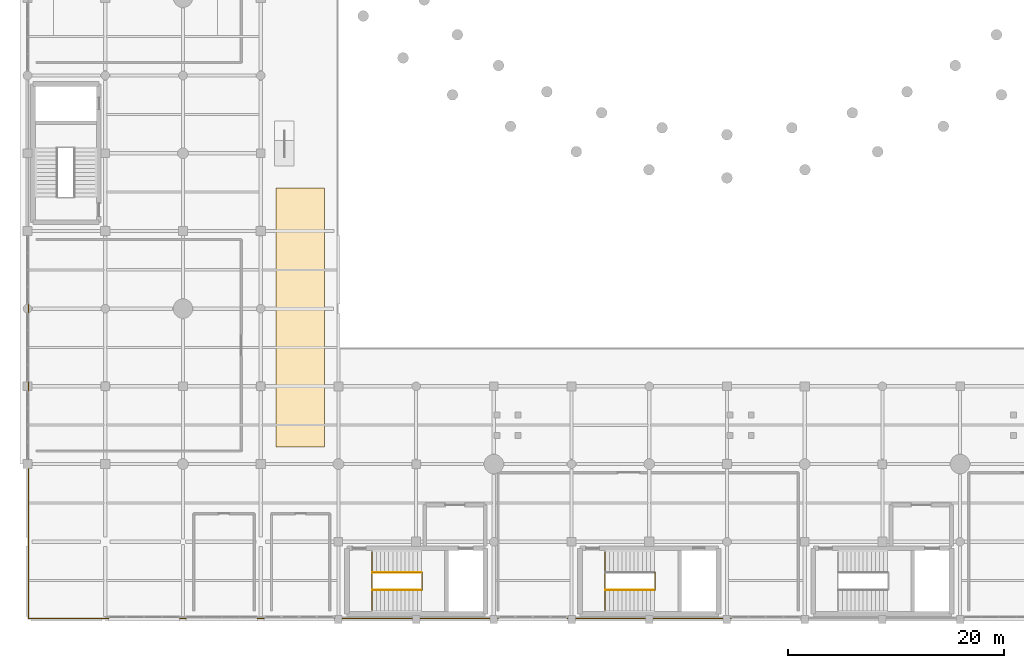
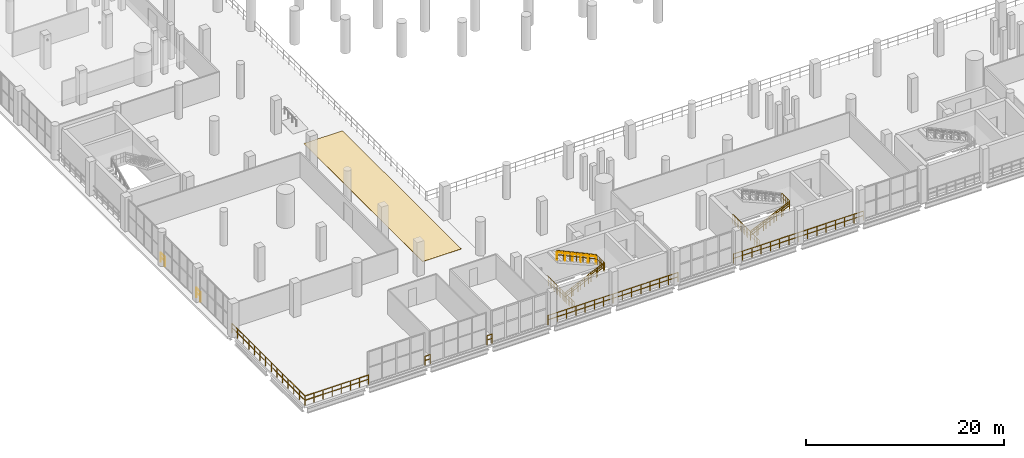
# One storey, part 142 of 153: 17 railings, 1 covering.
"""IFC4 building model written with IfcOpenShell, lengths in metres."""

from ifc_helpers import new_model, si_unit, direction, frame, origin, origin_2d, place, context, subcontext, project, spatial, polyline, circle, outline, extrude, material, layer, layer_set, type_object, element, save


model = new_model("IFC4")

# Units and contexts
model_context = context("Model", 3, precision=1e-05, world=origin(), true_north=direction((0.0, 1.0)))
body_context = subcontext(model_context, "Body", "Model", "MODEL_VIEW")
ifc_project = project(units=[si_unit("LENGTHUNIT", "METRE"), si_unit("AREAUNIT", "SQUARE_METRE"), si_unit("VOLUMEUNIT", "CUBIC_METRE"), si_unit("PLANEANGLEUNIT", "RADIAN"), si_unit("MASSUNIT", "GRAM", prefix="KILO")], contexts=[model_context])

# Site, building, storey
site_placement = place(None, origin())
site = spatial("IfcSite", under=ifc_project, at=site_placement, CompositionType="ELEMENT")
building_placement = place(site_placement, origin())
building = spatial("IfcBuilding", under=site, at=building_placement, Name="Qandorah Velis Arena", CompositionType="ELEMENT")
storey_placement = place(building_placement, frame((0.0, 0.0, 5.39990234375)))
storey = spatial("IfcBuildingStorey", under=building, at=storey_placement, Name="L01", CompositionType="ELEMENT", Elevation=5.39990234375)

# Covering
ifc_material_1 = material(Name="Polished Riyadh limestone terrazzo flooring", Category="masonry")
ifc_layer = layer(ifc_material_1, 0.034912109375)
ifc_layer_set = layer_set([ifc_layer], Name="Polished Riyadh limestone terrazzo flooring")
covering_type = type_object("IfcCoveringType", Name="ARC-COV-FLOOR", PredefinedType="FLOORING", material=ifc_layer_set)
covering_placement = place(storey_placement, origin())
element("IfcCovering", 1, at=covering_placement, inside=storey, type_object=covering_type, Name="Polished terrazzo concourse flooring TF-03", PredefinedType="FLOORING", context=body_context, shape_type="SweptSolid", body=[
    extrude(outline(polyline([(23.0, 16.0), (27.5, 16.0), (27.5, 40.0), (23.0, 40.0), (23.0, 16.0)])), origin(), (0.0, 0.0, 1.0), 0.03515625),
])

# Railings
ifc_material_2 = material(Name="Stainless steel 316", Category="steel")
railing_type_1 = type_object("IfcRailingType", Name="ARC-RL-GRD1150", PredefinedType="GUARDRAIL", material=ifc_material_2)
railing_1_placement = place(storey_placement, frame((31.909912109375, 0.860107421875, 0.0)))
element("IfcRailing", 2, at=railing_1_placement, inside=storey, type_object=railing_type_1, Name="Stair ST1 landing well-slot guardrail L01", PredefinedType="GUARDRAIL", context=body_context, shape_type="SweptSolid", body=[
    extrude(circle(Radius=0.02392578125, at=origin_2d()), frame((0.0, 0.0, 1.1259765625), z_axis=(0.0, 1.0, 0.0), x_axis=(-1.0, 0.0, 0.0)), (0.0, 0.0, 1.0), 5.3798828125),
    extrude(circle(Radius=0.02392578125, at=origin_2d()), frame((0.0, 0.0, 0.597900390625), z_axis=(0.0, 1.0, 0.0), x_axis=(-1.0, 0.0, 0.0)), (0.0, 0.0, 1.0), 5.3798828125),
    extrude(circle(Radius=0.02099609375, at=origin_2d()), origin(), (0.0, 0.0, 1.0), 1.101806640625),
    extrude(circle(Radius=0.02099609375, at=origin_2d()), frame((0.0, 0.298828125, 0.0)), (0.0, 0.0, 1.0), 1.101806640625),
    extrude(circle(Radius=0.02099609375, at=origin_2d()), frame((0.0, 0.59765625, 0.0)), (0.0, 0.0, 1.0), 1.101806640625),
    extrude(circle(Radius=0.02099609375, at=origin_2d()), frame((0.0, 0.896728515625, 0.0)), (0.0, 0.0, 1.0), 1.101806640625),
    extrude(circle(Radius=0.02099609375, at=origin_2d()), frame((0.0, 1.195556640625, 0.0)), (0.0, 0.0, 1.0), 1.101806640625),
    extrude(circle(Radius=0.02099609375, at=origin_2d()), frame((0.0, 1.494384765625, 0.0)), (0.0, 0.0, 1.0), 1.101806640625),
    extrude(circle(Radius=0.02099609375, at=origin_2d()), frame((0.0, 1.793212890625, 0.0)), (0.0, 0.0, 1.0), 1.101806640625),
    extrude(circle(Radius=0.02099609375, at=origin_2d()), frame((0.0, 2.09228515625, 0.0)), (0.0, 0.0, 1.0), 1.101806640625),
    extrude(circle(Radius=0.02099609375, at=origin_2d()), frame((0.0, 2.39111328125, 0.0)), (0.0, 0.0, 1.0), 1.101806640625),
    extrude(circle(Radius=0.02099609375, at=origin_2d()), frame((0.0, 2.68994140625, 0.0)), (0.0, 0.0, 1.0), 1.101806640625),
    extrude(circle(Radius=0.02099609375, at=origin_2d()), frame((0.0, 2.98876953125, 0.0)), (0.0, 0.0, 1.0), 1.101806640625),
    extrude(circle(Radius=0.02099609375, at=origin_2d()), frame((0.0, 3.28759765625, 0.0)), (0.0, 0.0, 1.0), 1.101806640625),
    extrude(circle(Radius=0.02099609375, at=origin_2d()), frame((0.0, 3.586669921875, 0.0)), (0.0, 0.0, 1.0), 1.101806640625),
    extrude(circle(Radius=0.02099609375, at=origin_2d()), frame((0.0, 3.885498046875, 0.0)), (0.0, 0.0, 1.0), 1.101806640625),
    extrude(circle(Radius=0.02099609375, at=origin_2d()), frame((0.0, 4.184326171875, 0.0)), (0.0, 0.0, 1.0), 1.101806640625),
    extrude(circle(Radius=0.02099609375, at=origin_2d()), frame((0.0, 4.483154296875, 0.0)), (0.0, 0.0, 1.0), 1.101806640625),
    extrude(circle(Radius=0.02099609375, at=origin_2d()), frame((0.0, 4.7822265625, 0.0)), (0.0, 0.0, 1.0), 1.101806640625),
    extrude(circle(Radius=0.02099609375, at=origin_2d()), frame((0.0, 5.0810546875, 0.0)), (0.0, 0.0, 1.0), 1.101806640625),
    extrude(circle(Radius=0.02099609375, at=origin_2d()), frame((0.0, 5.3798828125, 0.0)), (0.0, 0.0, 1.0), 1.101806640625),
])
railing_2_placement = place(storey_placement, frame((36.5458984375, 2.739990234375, 2.10009765625)))
element("IfcRailing", 3, at=railing_2_placement, inside=storey, type_object=railing_type_1, Name="Stair ST1 well guardrail (L01)", PredefinedType="GUARDRAIL", context=body_context, shape_type="SweptSolid", body=[
    extrude(circle(Radius=0.02392578125, at=origin_2d()), frame((0.0, 0.0, 1.1259765625), z_axis=(0.0, 1.0, 0.0), x_axis=(-1.0, 0.0, 0.0)), (0.0, 0.0, 1.0), 1.6201171875),
    extrude(circle(Radius=0.02392578125, at=origin_2d()), frame((0.0, 0.0, 0.597900390625), z_axis=(0.0, 1.0, 0.0), x_axis=(-1.0, 0.0, 0.0)), (0.0, 0.0, 1.0), 1.6201171875),
    extrude(circle(Radius=0.02099609375, at=origin_2d()), origin(), (0.0, 0.0, 1.0), 1.101806640625),
    extrude(circle(Radius=0.02099609375, at=origin_2d()), frame((0.0, 0.27001953125, 0.0)), (0.0, 0.0, 1.0), 1.101806640625),
    extrude(circle(Radius=0.02099609375, at=origin_2d()), frame((0.0, 0.5400390625, 0.0)), (0.0, 0.0, 1.0), 1.101806640625),
    extrude(circle(Radius=0.02099609375, at=origin_2d()), frame((0.0, 0.81005859375, 0.0)), (0.0, 0.0, 1.0), 1.101806640625),
    extrude(circle(Radius=0.02099609375, at=origin_2d()), frame((0.0, 1.080078125, 0.0)), (0.0, 0.0, 1.0), 1.101806640625),
    extrude(circle(Radius=0.02099609375, at=origin_2d()), frame((0.0, 1.35009765625, 0.0)), (0.0, 0.0, 1.0), 1.101806640625),
    extrude(circle(Radius=0.02099609375, at=origin_2d()), frame((0.0, 1.6201171875, 0.0)), (0.0, 0.0, 1.0), 1.101806640625),
])
railing_3_placement = place(storey_placement, frame((31.949951171875, 2.72998046875, 0.0)))
element("IfcRailing", 4, at=railing_3_placement, inside=storey, type_object=railing_type_1, Name="Stair ST1 inner flight 1 guardrail (L01)", PredefinedType="GUARDRAIL", context=body_context, shape_type="SweptSolid", body=[
    extrude(circle(Radius=0.02392578125, at=origin_2d()), frame((0.0, 0.0, 1.1259765625), z_axis=(0.907464148506, 0.0, 0.420129526666), x_axis=(0.0, 1.0, 0.0)), (0.0, 0.0, 1.0), 4.998779296875),
    extrude(circle(Radius=0.02392578125, at=origin_2d()), frame((0.0, 0.0, 0.597900390625), z_axis=(0.907464148506, 0.0, 0.420129526666), x_axis=(0.0, 1.0, 0.0)), (0.0, 0.0, 1.0), 4.998779296875),
    extrude(circle(Radius=0.02099609375, at=origin_2d()), origin(), (0.0, 0.0, 1.0), 1.101806640625),
    extrude(circle(Radius=0.02099609375, at=origin_2d()), frame((0.756103515625, 0.0, 0.35009765625)), (0.0, 0.0, 1.0), 1.101806640625),
    extrude(circle(Radius=0.02099609375, at=origin_2d()), frame((1.511962890625, 0.0, 0.699951171875)), (0.0, 0.0, 1.0), 1.101806640625),
    extrude(circle(Radius=0.02099609375, at=origin_2d()), frame((2.26806640625, 0.0, 1.050048828125)), (0.0, 0.0, 1.0), 1.101806640625),
    extrude(circle(Radius=0.02099609375, at=origin_2d()), frame((3.024169921875, 0.0, 1.400146484375)), (0.0, 0.0, 1.0), 1.101806640625),
    extrude(circle(Radius=0.02099609375, at=origin_2d()), frame((3.780029296875, 0.0, 1.75)), (0.0, 0.0, 1.0), 1.101806640625),
    extrude(circle(Radius=0.02099609375, at=origin_2d()), frame((4.5361328125, 0.0, 2.10009765625)), (0.0, 0.0, 1.0), 1.101806640625),
])
railing_4_placement = place(storey_placement, frame((36.486083984375, 4.3701171875, 2.10009765625)))
element("IfcRailing", 5, at=railing_4_placement, inside=storey, type_object=railing_type_1, Name="Stair ST1 inner flight 2 guardrail (L01)", PredefinedType="GUARDRAIL", context=body_context, shape_type="SweptSolid", body=[
    extrude(circle(Radius=0.02392578125, at=origin_2d()), frame((0.0, 0.0, 1.1259765625), z_axis=(-0.907464148506, 0.0, 0.420129526666), x_axis=(0.0, -1.0, 0.0)), (0.0, 0.0, 1.0), 4.998779296875),
    extrude(circle(Radius=0.02392578125, at=origin_2d()), frame((0.0, 0.0, 0.597900390625), z_axis=(-0.907464148506, 0.0, 0.420129526666), x_axis=(0.0, -1.0, 0.0)), (0.0, 0.0, 1.0), 4.998779296875),
    extrude(circle(Radius=0.02099609375, at=origin_2d()), origin(), (0.0, 0.0, 1.0), 1.101806640625),
    extrude(circle(Radius=0.02099609375, at=origin_2d()), frame((-0.756103515625, 0.0, 0.35009765625)), (0.0, 0.0, 1.0), 1.101806640625),
    extrude(circle(Radius=0.02099609375, at=origin_2d()), frame((-1.511962890625, 0.0, 0.699951171875)), (0.0, 0.0, 1.0), 1.101806640625),
    extrude(circle(Radius=0.02099609375, at=origin_2d()), frame((-2.26806640625, 0.0, 1.050048828125)), (0.0, 0.0, 1.0), 1.101806640625),
    extrude(circle(Radius=0.02099609375, at=origin_2d()), frame((-3.024169921875, 0.0, 1.400146484375)), (0.0, 0.0, 1.0), 1.101806640625),
    extrude(circle(Radius=0.02099609375, at=origin_2d()), frame((-3.780029296875, 0.0, 1.75)), (0.0, 0.0, 1.0), 1.101806640625),
    extrude(circle(Radius=0.02099609375, at=origin_2d()), frame((-4.5361328125, 0.0, 2.10009765625)), (0.0, 0.0, 1.0), 1.101806640625),
])
railing_5_placement = place(storey_placement, frame((53.510009765625, 0.860107421875, 0.0)))
element("IfcRailing", 6, at=railing_5_placement, inside=storey, type_object=railing_type_1, Name="Stair ST9 landing well-slot guardrail L01", PredefinedType="GUARDRAIL", context=body_context, shape_type="SweptSolid", body=[
    extrude(circle(Radius=0.02392578125, at=origin_2d()), frame((0.0, 0.0, 1.1259765625), z_axis=(0.0, 1.0, 0.0), x_axis=(-1.0, 0.0, 0.0)), (0.0, 0.0, 1.0), 5.3798828125),
    extrude(circle(Radius=0.02392578125, at=origin_2d()), frame((0.0, 0.0, 0.597900390625), z_axis=(0.0, 1.0, 0.0), x_axis=(-1.0, 0.0, 0.0)), (0.0, 0.0, 1.0), 5.3798828125),
    extrude(circle(Radius=0.02099609375, at=origin_2d()), origin(), (0.0, 0.0, 1.0), 1.101806640625),
    extrude(circle(Radius=0.02099609375, at=origin_2d()), frame((0.0, 0.298828125, 0.0)), (0.0, 0.0, 1.0), 1.101806640625),
    extrude(circle(Radius=0.02099609375, at=origin_2d()), frame((0.0, 0.59765625, 0.0)), (0.0, 0.0, 1.0), 1.101806640625),
    extrude(circle(Radius=0.02099609375, at=origin_2d()), frame((0.0, 0.896728515625, 0.0)), (0.0, 0.0, 1.0), 1.101806640625),
    extrude(circle(Radius=0.02099609375, at=origin_2d()), frame((0.0, 1.195556640625, 0.0)), (0.0, 0.0, 1.0), 1.101806640625),
    extrude(circle(Radius=0.02099609375, at=origin_2d()), frame((0.0, 1.494384765625, 0.0)), (0.0, 0.0, 1.0), 1.101806640625),
    extrude(circle(Radius=0.02099609375, at=origin_2d()), frame((0.0, 1.793212890625, 0.0)), (0.0, 0.0, 1.0), 1.101806640625),
    extrude(circle(Radius=0.02099609375, at=origin_2d()), frame((0.0, 2.09228515625, 0.0)), (0.0, 0.0, 1.0), 1.101806640625),
    extrude(circle(Radius=0.02099609375, at=origin_2d()), frame((0.0, 2.39111328125, 0.0)), (0.0, 0.0, 1.0), 1.101806640625),
    extrude(circle(Radius=0.02099609375, at=origin_2d()), frame((0.0, 2.68994140625, 0.0)), (0.0, 0.0, 1.0), 1.101806640625),
    extrude(circle(Radius=0.02099609375, at=origin_2d()), frame((0.0, 2.98876953125, 0.0)), (0.0, 0.0, 1.0), 1.101806640625),
    extrude(circle(Radius=0.02099609375, at=origin_2d()), frame((0.0, 3.28759765625, 0.0)), (0.0, 0.0, 1.0), 1.101806640625),
    extrude(circle(Radius=0.02099609375, at=origin_2d()), frame((0.0, 3.586669921875, 0.0)), (0.0, 0.0, 1.0), 1.101806640625),
    extrude(circle(Radius=0.02099609375, at=origin_2d()), frame((0.0, 3.885498046875, 0.0)), (0.0, 0.0, 1.0), 1.101806640625),
    extrude(circle(Radius=0.02099609375, at=origin_2d()), frame((0.0, 4.184326171875, 0.0)), (0.0, 0.0, 1.0), 1.101806640625),
    extrude(circle(Radius=0.02099609375, at=origin_2d()), frame((0.0, 4.483154296875, 0.0)), (0.0, 0.0, 1.0), 1.101806640625),
    extrude(circle(Radius=0.02099609375, at=origin_2d()), frame((0.0, 4.7822265625, 0.0)), (0.0, 0.0, 1.0), 1.101806640625),
    extrude(circle(Radius=0.02099609375, at=origin_2d()), frame((0.0, 5.0810546875, 0.0)), (0.0, 0.0, 1.0), 1.101806640625),
    extrude(circle(Radius=0.02099609375, at=origin_2d()), frame((0.0, 5.3798828125, 0.0)), (0.0, 0.0, 1.0), 1.101806640625),
])
railing_6_placement = place(storey_placement, frame((58.14599609375, 2.739990234375, 2.10009765625)))
element("IfcRailing", 7, at=railing_6_placement, inside=storey, type_object=railing_type_1, Name="Stair ST9 well guardrail (L01)", PredefinedType="GUARDRAIL", context=body_context, shape_type="SweptSolid", body=[
    extrude(circle(Radius=0.02392578125, at=origin_2d()), frame((0.0, 0.0, 1.1259765625), z_axis=(0.0, 1.0, 0.0), x_axis=(-1.0, 0.0, 0.0)), (0.0, 0.0, 1.0), 1.6201171875),
    extrude(circle(Radius=0.02392578125, at=origin_2d()), frame((0.0, 0.0, 0.597900390625), z_axis=(0.0, 1.0, 0.0), x_axis=(-1.0, 0.0, 0.0)), (0.0, 0.0, 1.0), 1.6201171875),
    extrude(circle(Radius=0.02099609375, at=origin_2d()), origin(), (0.0, 0.0, 1.0), 1.101806640625),
    extrude(circle(Radius=0.02099609375, at=origin_2d()), frame((0.0, 0.27001953125, 0.0)), (0.0, 0.0, 1.0), 1.101806640625),
    extrude(circle(Radius=0.02099609375, at=origin_2d()), frame((0.0, 0.5400390625, 0.0)), (0.0, 0.0, 1.0), 1.101806640625),
    extrude(circle(Radius=0.02099609375, at=origin_2d()), frame((0.0, 0.81005859375, 0.0)), (0.0, 0.0, 1.0), 1.101806640625),
    extrude(circle(Radius=0.02099609375, at=origin_2d()), frame((0.0, 1.080078125, 0.0)), (0.0, 0.0, 1.0), 1.101806640625),
    extrude(circle(Radius=0.02099609375, at=origin_2d()), frame((0.0, 1.35009765625, 0.0)), (0.0, 0.0, 1.0), 1.101806640625),
    extrude(circle(Radius=0.02099609375, at=origin_2d()), frame((0.0, 1.6201171875, 0.0)), (0.0, 0.0, 1.0), 1.101806640625),
])
railing_7_placement = place(storey_placement, frame((53.550048828125, 2.72998046875, 0.0)))
element("IfcRailing", 8, at=railing_7_placement, inside=storey, type_object=railing_type_1, Name="Stair ST9 inner flight 1 guardrail (L01)", PredefinedType="GUARDRAIL", context=body_context, shape_type="SweptSolid", body=[
    extrude(circle(Radius=0.02392578125, at=origin_2d()), frame((0.0, 0.0, 1.1259765625), z_axis=(0.907455527081, 0.0, 0.420148148122), x_axis=(0.0, 1.0, 0.0)), (0.0, 0.0, 1.0), 4.99853515625),
    extrude(circle(Radius=0.02392578125, at=origin_2d()), frame((0.0, 0.0, 0.597900390625), z_axis=(0.907455527081, 0.0, 0.420148148122), x_axis=(0.0, 1.0, 0.0)), (0.0, 0.0, 1.0), 4.99853515625),
    extrude(circle(Radius=0.02099609375, at=origin_2d()), origin(), (0.0, 0.0, 1.0), 1.101806640625),
    extrude(circle(Radius=0.02099609375, at=origin_2d()), frame((0.755859375, 0.0, 0.35009765625)), (0.0, 0.0, 1.0), 1.101806640625),
    extrude(circle(Radius=0.02099609375, at=origin_2d()), frame((1.511962890625, 0.0, 0.699951171875)), (0.0, 0.0, 1.0), 1.101806640625),
    extrude(circle(Radius=0.02099609375, at=origin_2d()), frame((2.26806640625, 0.0, 1.050048828125)), (0.0, 0.0, 1.0), 1.101806640625),
    extrude(circle(Radius=0.02099609375, at=origin_2d()), frame((3.02392578125, 0.0, 1.400146484375)), (0.0, 0.0, 1.0), 1.101806640625),
    extrude(circle(Radius=0.02099609375, at=origin_2d()), frame((3.77978515625, 0.0, 1.75)), (0.0, 0.0, 1.0), 1.101806640625),
    extrude(circle(Radius=0.02099609375, at=origin_2d()), frame((4.535888671875, 0.0, 2.10009765625)), (0.0, 0.0, 1.0), 1.101806640625),
])
railing_8_placement = place(storey_placement, frame((65.175048828125, 0.10009765625, 0.0)))
element("IfcRailing", 9, at=railing_8_placement, inside=storey, type_object=railing_type_1, Name="Slab edge safety guardrail L01-087", PredefinedType="GUARDRAIL", context=body_context, shape_type="SweptSolid", body=[
    extrude(circle(Radius=0.02392578125, at=origin_2d()), frame((0.0, 0.0, 1.1259765625), z_axis=(-1.0, 0.0, 0.0), x_axis=(0.0, -1.0, 0.0)), (0.0, 0.0, 1.0), 15.150146484375),
    extrude(circle(Radius=0.02392578125, at=origin_2d()), frame((0.0, 0.0, 0.597900390625), z_axis=(-1.0, 0.0, 0.0), x_axis=(0.0, -1.0, 0.0)), (0.0, 0.0, 1.0), 15.150146484375),
    extrude(circle(Radius=0.02099609375, at=origin_2d()), origin(), (0.0, 0.0, 1.0), 1.101806640625),
    extrude(circle(Radius=0.02099609375, at=origin_2d()), frame((-1.08203125, 0.0, 0.0)), (0.0, 0.0, 1.0), 1.101806640625),
    extrude(circle(Radius=0.02099609375, at=origin_2d()), frame((-2.164306640625, 0.0, 0.0)), (0.0, 0.0, 1.0), 1.101806640625),
    extrude(circle(Radius=0.02099609375, at=origin_2d()), frame((-3.24658203125, 0.0, 0.0)), (0.0, 0.0, 1.0), 1.101806640625),
    extrude(circle(Radius=0.02099609375, at=origin_2d()), frame((-4.32861328125, 0.0, 0.0)), (0.0, 0.0, 1.0), 1.101806640625),
    extrude(circle(Radius=0.02099609375, at=origin_2d()), frame((-5.41064453125, 0.0, 0.0)), (0.0, 0.0, 1.0), 1.101806640625),
    extrude(circle(Radius=0.02099609375, at=origin_2d()), frame((-6.492919921875, 0.0, 0.0)), (0.0, 0.0, 1.0), 1.101806640625),
    extrude(circle(Radius=0.02099609375, at=origin_2d()), frame((-7.5751953125, 0.0, 0.0)), (0.0, 0.0, 1.0), 1.101806640625),
    extrude(circle(Radius=0.02099609375, at=origin_2d()), frame((-8.6572265625, 0.0, 0.0)), (0.0, 0.0, 1.0), 1.101806640625),
    extrude(circle(Radius=0.02099609375, at=origin_2d()), frame((-9.7392578125, 0.0, 0.0)), (0.0, 0.0, 1.0), 1.101806640625),
    extrude(circle(Radius=0.02099609375, at=origin_2d()), frame((-10.821533203125, 0.0, 0.0)), (0.0, 0.0, 1.0), 1.101806640625),
    extrude(circle(Radius=0.02099609375, at=origin_2d()), frame((-11.90380859375, 0.0, 0.0)), (0.0, 0.0, 1.0), 1.101806640625),
    extrude(circle(Radius=0.02099609375, at=origin_2d()), frame((-12.98583984375, 0.0, 0.0)), (0.0, 0.0, 1.0), 1.101806640625),
    extrude(circle(Radius=0.02099609375, at=origin_2d()), frame((-14.06787109375, 0.0, 0.0)), (0.0, 0.0, 1.0), 1.101806640625),
    extrude(circle(Radius=0.02099609375, at=origin_2d()), frame((-15.150146484375, 0.0, 0.0)), (0.0, 0.0, 1.0), 1.101806640625),
])
railing_9_placement = place(storey_placement, frame((43.574951171875, 0.10009765625, 0.0)))
element("IfcRailing", 10, at=railing_9_placement, inside=storey, type_object=railing_type_1, Name="Slab edge safety guardrail L01-088", PredefinedType="GUARDRAIL", context=body_context, shape_type="SweptSolid", body=[
    extrude(circle(Radius=0.02392578125, at=origin_2d()), frame((0.0, 0.0, 1.1259765625), z_axis=(-1.0, 0.0, 0.0), x_axis=(0.0, -1.0, 0.0)), (0.0, 0.0, 1.0), 15.14990234375),
    extrude(circle(Radius=0.02392578125, at=origin_2d()), frame((0.0, 0.0, 0.597900390625), z_axis=(-1.0, 0.0, 0.0), x_axis=(0.0, -1.0, 0.0)), (0.0, 0.0, 1.0), 15.14990234375),
    extrude(circle(Radius=0.02099609375, at=origin_2d()), origin(), (0.0, 0.0, 1.0), 1.101806640625),
    extrude(circle(Radius=0.02099609375, at=origin_2d()), frame((-1.08203125, 0.0, 0.0)), (0.0, 0.0, 1.0), 1.101806640625),
    extrude(circle(Radius=0.02099609375, at=origin_2d()), frame((-2.164306640625, 0.0, 0.0)), (0.0, 0.0, 1.0), 1.101806640625),
    extrude(circle(Radius=0.02099609375, at=origin_2d()), frame((-3.246337890625, 0.0, 0.0)), (0.0, 0.0, 1.0), 1.101806640625),
    extrude(circle(Radius=0.02099609375, at=origin_2d()), frame((-4.32861328125, 0.0, 0.0)), (0.0, 0.0, 1.0), 1.101806640625),
    extrude(circle(Radius=0.02099609375, at=origin_2d()), frame((-5.41064453125, 0.0, 0.0)), (0.0, 0.0, 1.0), 1.101806640625),
    extrude(circle(Radius=0.02099609375, at=origin_2d()), frame((-6.492919921875, 0.0, 0.0)), (0.0, 0.0, 1.0), 1.101806640625),
    extrude(circle(Radius=0.02099609375, at=origin_2d()), frame((-7.574951171875, 0.0, 0.0)), (0.0, 0.0, 1.0), 1.101806640625),
    extrude(circle(Radius=0.02099609375, at=origin_2d()), frame((-8.656982421875, 0.0, 0.0)), (0.0, 0.0, 1.0), 1.101806640625),
    extrude(circle(Radius=0.02099609375, at=origin_2d()), frame((-9.7392578125, 0.0, 0.0)), (0.0, 0.0, 1.0), 1.101806640625),
    extrude(circle(Radius=0.02099609375, at=origin_2d()), frame((-10.8212890625, 0.0, 0.0)), (0.0, 0.0, 1.0), 1.101806640625),
    extrude(circle(Radius=0.02099609375, at=origin_2d()), frame((-11.903564453125, 0.0, 0.0)), (0.0, 0.0, 1.0), 1.101806640625),
    extrude(circle(Radius=0.02099609375, at=origin_2d()), frame((-12.985595703125, 0.0, 0.0)), (0.0, 0.0, 1.0), 1.101806640625),
    extrude(circle(Radius=0.02099609375, at=origin_2d()), frame((-14.06787109375, 0.0, 0.0)), (0.0, 0.0, 1.0), 1.101806640625),
    extrude(circle(Radius=0.02099609375, at=origin_2d()), frame((-15.14990234375, 0.0, 0.0)), (0.0, 0.0, 1.0), 1.101806640625),
])
for number, where, name in (
    (11, (21.89990234375, 0.10009765625, 0.0), "Slab edge safety guardrail L01-089"),
    (12, (14.699951171875, 0.10009765625, 0.0), "Slab edge safety guardrail L01-090"),
):
    element("IfcRailing", number, at=place(storey_placement, frame(where)), inside=storey, type_object=railing_type_1, Name=name, PredefinedType="GUARDRAIL", context=body_context, shape_type="SweptSolid", body=[
        extrude(circle(Radius=0.02392578125, at=origin_2d()), frame((0.0, 0.0, 1.1259765625), z_axis=(-1.0, 0.0, 0.0), x_axis=(0.0, -1.0, 0.0)), (0.0, 0.0, 1.0), 0.599853515625),
        extrude(circle(Radius=0.02392578125, at=origin_2d()), frame((0.0, 0.0, 0.597900390625), z_axis=(-1.0, 0.0, 0.0), x_axis=(0.0, -1.0, 0.0)), (0.0, 0.0, 1.0), 0.599853515625),
        extrude(circle(Radius=0.02099609375, at=origin_2d()), origin(), (0.0, 0.0, 1.0), 1.101806640625),
        extrude(circle(Radius=0.02099609375, at=origin_2d()), frame((-0.599853515625, 0.0, 0.0)), (0.0, 0.0, 1.0), 1.101806640625),
    ])
railing_10_placement = place(storey_placement, frame((7.5, 0.10009765625, 0.0)))
element("IfcRailing", 13, at=railing_10_placement, inside=storey, type_object=railing_type_1, Name="Slab edge safety guardrail L01-091", PredefinedType="GUARDRAIL", context=body_context, shape_type="SweptSolid", body=[
    extrude(circle(Radius=0.02392578125, at=origin_2d()), frame((0.0, 0.0, 1.1259765625), z_axis=(-1.0, 0.0, 0.0), x_axis=(0.0, -1.0, 0.0)), (0.0, 0.0, 1.0), 7.39990234375),
    extrude(circle(Radius=0.02392578125, at=origin_2d()), frame((0.0, 0.0, 0.597900390625), z_axis=(-1.0, 0.0, 0.0), x_axis=(0.0, -1.0, 0.0)), (0.0, 0.0, 1.0), 7.39990234375),
    extrude(circle(Radius=0.02392578125, at=origin_2d()), frame((-7.39990234375, 0.0, 1.1259765625), z_axis=(0.0, 1.0, 0.0), x_axis=(-1.0, 0.0, 0.0)), (0.0, 0.0, 1.0), 14.75),
    extrude(circle(Radius=0.02392578125, at=origin_2d()), frame((-7.39990234375, 0.0, 0.597900390625), z_axis=(0.0, 1.0, 0.0), x_axis=(-1.0, 0.0, 0.0)), (0.0, 0.0, 1.0), 14.75),
    extrude(circle(Radius=0.02099609375, at=origin_2d()), origin(), (0.0, 0.0, 1.0), 1.101806640625),
    extrude(circle(Radius=0.02099609375, at=origin_2d()), frame((-1.05712890625, 0.0, 0.0)), (0.0, 0.0, 1.0), 1.101806640625),
    extrude(circle(Radius=0.02099609375, at=origin_2d()), frame((-2.1142578125, 0.0, 0.0)), (0.0, 0.0, 1.0), 1.101806640625),
    extrude(circle(Radius=0.02099609375, at=origin_2d()), frame((-3.17138671875, 0.0, 0.0)), (0.0, 0.0, 1.0), 1.101806640625),
    extrude(circle(Radius=0.02099609375, at=origin_2d()), frame((-4.228515625, 0.0, 0.0)), (0.0, 0.0, 1.0), 1.101806640625),
    extrude(circle(Radius=0.02099609375, at=origin_2d()), frame((-5.28564453125, 0.0, 0.0)), (0.0, 0.0, 1.0), 1.101806640625),
    extrude(circle(Radius=0.02099609375, at=origin_2d()), frame((-6.3427734375, 0.0, 0.0)), (0.0, 0.0, 1.0), 1.101806640625),
    extrude(circle(Radius=0.02099609375, at=origin_2d()), frame((-7.39990234375, 0.0, 0.0)), (0.0, 0.0, 1.0), 1.101806640625),
    extrude(circle(Radius=0.02099609375, at=origin_2d()), frame((-7.39990234375, 1.134521484375, 0.0)), (0.0, 0.0, 1.0), 1.101806640625),
    extrude(circle(Radius=0.02099609375, at=origin_2d()), frame((-7.39990234375, 2.269287109375, 0.0)), (0.0, 0.0, 1.0), 1.101806640625),
    extrude(circle(Radius=0.02099609375, at=origin_2d()), frame((-7.39990234375, 3.40380859375, 0.0)), (0.0, 0.0, 1.0), 1.101806640625),
    extrude(circle(Radius=0.02099609375, at=origin_2d()), frame((-7.39990234375, 4.53857421875, 0.0)), (0.0, 0.0, 1.0), 1.101806640625),
    extrude(circle(Radius=0.02099609375, at=origin_2d()), frame((-7.39990234375, 5.673095703125, 0.0)), (0.0, 0.0, 1.0), 1.101806640625),
    extrude(circle(Radius=0.02099609375, at=origin_2d()), frame((-7.39990234375, 6.8076171875, 0.0)), (0.0, 0.0, 1.0), 1.101806640625),
    extrude(circle(Radius=0.02099609375, at=origin_2d()), frame((-7.39990234375, 7.9423828125, 0.0)), (0.0, 0.0, 1.0), 1.101806640625),
    extrude(circle(Radius=0.02099609375, at=origin_2d()), frame((-7.39990234375, 9.076904296875, 0.0)), (0.0, 0.0, 1.0), 1.101806640625),
    extrude(circle(Radius=0.02099609375, at=origin_2d()), frame((-7.39990234375, 10.21142578125, 0.0)), (0.0, 0.0, 1.0), 1.101806640625),
    extrude(circle(Radius=0.02099609375, at=origin_2d()), frame((-7.39990234375, 11.34619140625, 0.0)), (0.0, 0.0, 1.0), 1.101806640625),
    extrude(circle(Radius=0.02099609375, at=origin_2d()), frame((-7.39990234375, 12.480712890625, 0.0)), (0.0, 0.0, 1.0), 1.101806640625),
    extrude(circle(Radius=0.02099609375, at=origin_2d()), frame((-7.39990234375, 13.615478515625, 0.0)), (0.0, 0.0, 1.0), 1.101806640625),
    extrude(circle(Radius=0.02099609375, at=origin_2d()), frame((-7.39990234375, 14.75, 0.0)), (0.0, 0.0, 1.0), 1.101806640625),
])
railing_11_placement = place(storey_placement, frame((0.10009765625, 21.175048828125, 0.0)))
element("IfcRailing", 14, at=railing_11_placement, inside=storey, type_object=railing_type_1, Name="Slab edge safety guardrail L01-092", PredefinedType="GUARDRAIL", context=body_context, shape_type="SweptSolid", body=[
    extrude(circle(Radius=0.02392578125, at=origin_2d()), frame((0.0, 0.0, 1.1259765625), z_axis=(0.0, 1.0, 0.0), x_axis=(-1.0, 0.0, 0.0)), (0.0, 0.0, 1.0), 0.849853515625),
    extrude(circle(Radius=0.02392578125, at=origin_2d()), frame((0.0, 0.0, 0.597900390625), z_axis=(0.0, 1.0, 0.0), x_axis=(-1.0, 0.0, 0.0)), (0.0, 0.0, 1.0), 0.849853515625),
    extrude(circle(Radius=0.02099609375, at=origin_2d()), origin(), (0.0, 0.0, 1.0), 1.101806640625),
    extrude(circle(Radius=0.02099609375, at=origin_2d()), frame((0.0, 0.849853515625, 0.0)), (0.0, 0.0, 1.0), 1.101806640625),
])
railing_12_placement = place(storey_placement, frame((0.10009765625, 28.375, 0.0)))
element("IfcRailing", 15, at=railing_12_placement, inside=storey, type_object=railing_type_1, Name="Slab edge safety guardrail L01-093", PredefinedType="GUARDRAIL", context=body_context, shape_type="SweptSolid", body=[
    extrude(circle(Radius=0.02392578125, at=origin_2d()), frame((0.0, 0.0, 1.1259765625), z_axis=(0.0, 1.0, 0.0), x_axis=(-1.0, 0.0, 0.0)), (0.0, 0.0, 1.0), 0.85009765625),
    extrude(circle(Radius=0.02392578125, at=origin_2d()), frame((0.0, 0.0, 0.597900390625), z_axis=(0.0, 1.0, 0.0), x_axis=(-1.0, 0.0, 0.0)), (0.0, 0.0, 1.0), 0.85009765625),
    extrude(circle(Radius=0.02099609375, at=origin_2d()), origin(), (0.0, 0.0, 1.0), 1.101806640625),
    extrude(circle(Radius=0.02099609375, at=origin_2d()), frame((0.0, 0.85009765625, 0.0)), (0.0, 0.0, 1.0), 1.101806640625),
])
railing_type_2 = type_object("IfcRailingType", Name="ARC-RL-HND920", PredefinedType="HANDRAIL", material=ifc_material_2)
railing_13_placement = place(storey_placement, frame((31.949951171875, 2.72998046875, 0.0)))
element("IfcRailing", 16, at=railing_13_placement, inside=storey, type_object=railing_type_2, Name="Stair ST1 inner handrail 1 (L01)", PredefinedType="HANDRAIL", context=body_context, shape_type="SweptSolid", body=[
    extrude(circle(Radius=0.02392578125, at=origin_2d()), frame((0.0, 0.0, 0.89599609375), z_axis=(0.907464148506, 0.0, 0.420129526666), x_axis=(0.0, 1.0, 0.0)), (0.0, 0.0, 1.0), 4.998779296875),
    extrude(circle(Radius=0.02099609375, at=origin_2d()), origin(), (0.0, 0.0, 1.0), 0.871826171875),
    extrude(circle(Radius=0.02099609375, at=origin_2d()), frame((0.9072265625, 0.0, 0.419921875)), (0.0, 0.0, 1.0), 0.871826171875),
    extrude(circle(Radius=0.02099609375, at=origin_2d()), frame((1.814453125, 0.0, 0.840087890625)), (0.0, 0.0, 1.0), 0.871826171875),
    extrude(circle(Radius=0.02099609375, at=origin_2d()), frame((2.7216796875, 0.0, 1.260009765625)), (0.0, 0.0, 1.0), 0.871826171875),
    extrude(circle(Radius=0.02099609375, at=origin_2d()), frame((3.62890625, 0.0, 1.68017578125)), (0.0, 0.0, 1.0), 0.871826171875),
    extrude(circle(Radius=0.02099609375, at=origin_2d()), frame((4.5361328125, 0.0, 2.10009765625)), (0.0, 0.0, 1.0), 0.871826171875),
])
railing_14_placement = place(storey_placement, frame((36.486083984375, 4.3701171875, 2.10009765625)))
element("IfcRailing", 17, at=railing_14_placement, inside=storey, type_object=railing_type_2, Name="Stair ST1 inner handrail 2 (L01)", PredefinedType="HANDRAIL", context=body_context, shape_type="SweptSolid", body=[
    extrude(circle(Radius=0.02392578125, at=origin_2d()), frame((0.0, 0.0, 0.89599609375), z_axis=(-0.907464148506, 0.0, 0.420129526666), x_axis=(0.0, -1.0, 0.0)), (0.0, 0.0, 1.0), 4.998779296875),
    extrude(circle(Radius=0.02099609375, at=origin_2d()), origin(), (0.0, 0.0, 1.0), 0.871826171875),
    extrude(circle(Radius=0.02099609375, at=origin_2d()), frame((-0.9072265625, 0.0, 0.419921875)), (0.0, 0.0, 1.0), 0.871826171875),
    extrude(circle(Radius=0.02099609375, at=origin_2d()), frame((-1.814453125, 0.0, 0.840087890625)), (0.0, 0.0, 1.0), 0.871826171875),
    extrude(circle(Radius=0.02099609375, at=origin_2d()), frame((-2.7216796875, 0.0, 1.260009765625)), (0.0, 0.0, 1.0), 0.871826171875),
    extrude(circle(Radius=0.02099609375, at=origin_2d()), frame((-3.62890625, 0.0, 1.68017578125)), (0.0, 0.0, 1.0), 0.871826171875),
    extrude(circle(Radius=0.02099609375, at=origin_2d()), frame((-4.5361328125, 0.0, 2.10009765625)), (0.0, 0.0, 1.0), 0.871826171875),
])
railing_15_placement = place(storey_placement, frame((53.550048828125, 2.72998046875, 0.0)))
element("IfcRailing", 18, at=railing_15_placement, inside=storey, type_object=railing_type_2, Name="Stair ST9 inner handrail 1 (L01)", PredefinedType="HANDRAIL", context=body_context, shape_type="SweptSolid", body=[
    extrude(circle(Radius=0.02392578125, at=origin_2d()), frame((0.0, 0.0, 0.89599609375), z_axis=(0.907455527081, 0.0, 0.420148148122), x_axis=(0.0, 1.0, 0.0)), (0.0, 0.0, 1.0), 4.99853515625),
    extrude(circle(Radius=0.02099609375, at=origin_2d()), origin(), (0.0, 0.0, 1.0), 0.871826171875),
    extrude(circle(Radius=0.02099609375, at=origin_2d()), frame((0.9072265625, 0.0, 0.419921875)), (0.0, 0.0, 1.0), 0.871826171875),
    extrude(circle(Radius=0.02099609375, at=origin_2d()), frame((1.814453125, 0.0, 0.840087890625)), (0.0, 0.0, 1.0), 0.871826171875),
    extrude(circle(Radius=0.02099609375, at=origin_2d()), frame((2.721435546875, 0.0, 1.260009765625)), (0.0, 0.0, 1.0), 0.871826171875),
    extrude(circle(Radius=0.02099609375, at=origin_2d()), frame((3.628662109375, 0.0, 1.68017578125)), (0.0, 0.0, 1.0), 0.871826171875),
    extrude(circle(Radius=0.02099609375, at=origin_2d()), frame((4.535888671875, 0.0, 2.10009765625)), (0.0, 0.0, 1.0), 0.871826171875),
])

save(model, "model.ifc")
